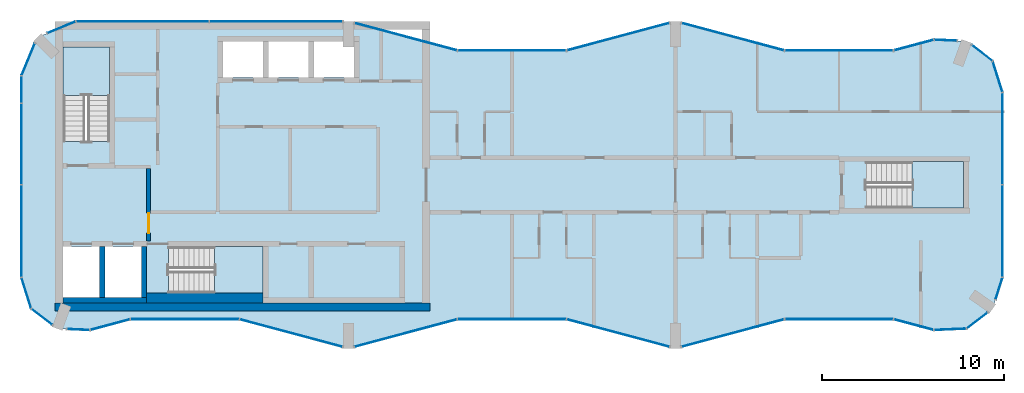
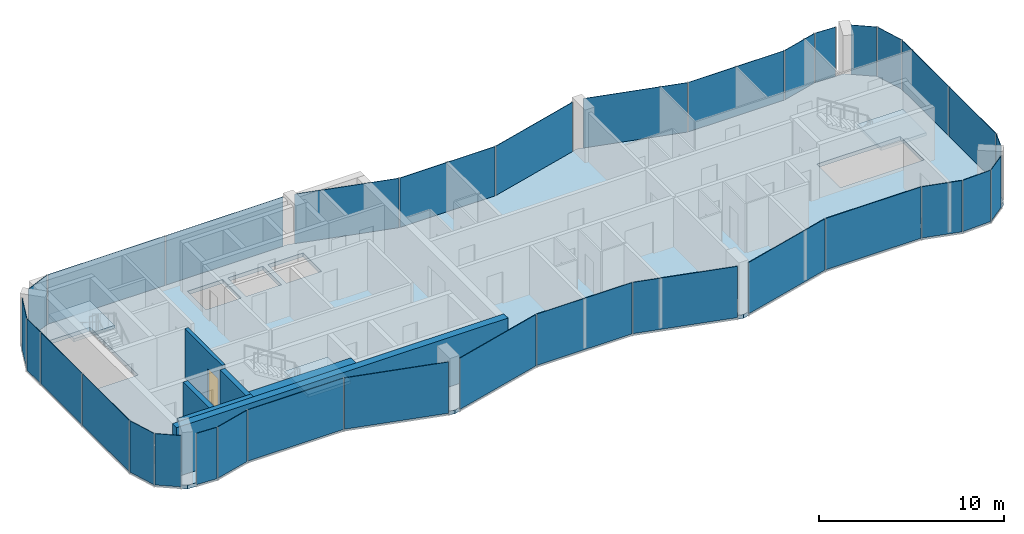
# One storey, part 6 of 10: 33 plates, 6 walls, 4 slabs, 1 door, 1 opening, 32 elements without a shape of their own.
"""IFC4 building model written with IfcOpenShell, lengths in metres."""

from ifc_helpers import new_model, si_unit, direction, frame, frame_2d, origin, origin_2d, place, context, subcontext, project, spatial, polyline, rectangle, outline, extrude, material, layer, layer_set, type_object, element, fill, aggregate, save


model = new_model("IFC4")

# Units and contexts
model_context = context("Model", 3, precision=1e-05, world=origin(), true_north=direction((0.0, 1.0)))
body_context = subcontext(model_context, "Body", "Model", "MODEL_VIEW")
ifc_project = project(units=[si_unit("LENGTHUNIT", "METRE"), si_unit("AREAUNIT", "SQUARE_METRE"), si_unit("VOLUMEUNIT", "CUBIC_METRE"), si_unit("PLANEANGLEUNIT", "RADIAN"), si_unit("MASSUNIT", "GRAM", prefix="KILO")], contexts=[model_context])

# Site, building, storey
site_placement = place(None, origin())
site = spatial("IfcSite", under=ifc_project, at=site_placement, CompositionType="ELEMENT")
building_placement = place(site_placement, origin())
building = spatial("IfcBuilding", under=site, at=building_placement, Name="Plateau Cross Towers", CompositionType="ELEMENT")
storey_placement = place(building_placement, frame((0.0, 0.0, 263.39990234375)))
storey = spatial("IfcBuildingStorey", under=building, at=storey_placement, Name="L69", CompositionType="ELEMENT", Elevation=263.39990234375)

# Curtain wall, plate
ifc_material_1 = material(Name="Dark low-iron glass", Category="glass")
ifc_layer_1 = layer(ifc_material_1, 0.239990234375)
ifc_layer_set_1 = layer_set([ifc_layer_1], Name="Dark low-iron glass")
curtain_wall_type_1 = type_object("IfcCurtainWallType", Name="Curtain wall flush unitised CW-B", PredefinedType="NOTDEFINED", material=ifc_layer_set_1)
curtain_wall_1_placement = place(storey_placement, origin())
curtain_wall_1 = element("IfcCurtainWall", 1, at=curtain_wall_1_placement, inside=storey, type_object=curtain_wall_type_1, Name="ENV/A/L69/A502_10", PredefinedType="NOTDEFINED")
ifc_layer_2 = layer(ifc_material_1, 0.031982421875)
ifc_layer_set_2 = layer_set([ifc_layer_2], Name="Dark low-iron glass")
plate_type_1 = type_object("IfcPlateType", Name="Glass panel 32 flush unitised", PredefinedType="CURTAIN_PANEL", material=ifc_layer_set_2)
plate_1_placement = place(storey_placement, frame((51.125, 1.05078125, -0.1298828125), z_axis=(0.0, 0.0, 1.0), x_axis=(0.999043701491, 0.043722791671, 0.0)))
plate_1 = element("IfcPlate", 2, at=plate_1_placement, type_object=plate_type_1, Name="CW-B panel 1", PredefinedType="CURTAIN_PANEL", context=body_context, shape_type="SweptSolid", body=[
    extrude(rectangle(XDim=1.744140625, YDim=0.031982421875, at=origin_2d()), origin(), (0.0, 0.0, 1.0), 3.3798828125),
])
aggregate(curtain_wall_1, [plate_1])

curtain_wall_2_placement = place(storey_placement, origin())
curtain_wall_2 = element("IfcCurtainWall", 3, at=curtain_wall_2_placement, inside=storey, type_object=curtain_wall_type_1, Name="ENV/A/L69/A520_11", PredefinedType="NOTDEFINED")
plate_2_placement = place(storey_placement, frame((52.60986328125, 1.5380859375, -0.1298828125), z_axis=(0.0, 0.0, 1.0), x_axis=(0.793315514529, 0.608810721331, 0.0)))
plate_2 = element("IfcPlate", 4, at=plate_2_placement, type_object=plate_type_1, Name="CW-B panel 1", PredefinedType="CURTAIN_PANEL", context=body_context, shape_type="SweptSolid", body=[
    extrude(rectangle(XDim=1.41162109375, YDim=0.031982421875, at=origin_2d()), origin(), (0.0, 0.0, 1.0), 3.3798828125),
])
aggregate(curtain_wall_2, [plate_2])

curtain_wall_3_placement = place(storey_placement, origin())
curtain_wall_3 = element("IfcCurtainWall", 5, at=curtain_wall_3_placement, inside=storey, type_object=curtain_wall_type_1, Name="ENV/A/L69/A536_27", PredefinedType="NOTDEFINED")
plate_3_placement = place(storey_placement, frame((53.805419921875, 3.292236328125, -0.1298828125), z_axis=(0.0, 0.0, 1.0), x_axis=(0.300686174994, 0.95372313811, 0.0)))
plate_3 = element("IfcPlate", 6, at=plate_3_placement, type_object=plate_type_1, Name="CW-B panel 1", PredefinedType="CURTAIN_PANEL", context=body_context, shape_type="SweptSolid", body=[
    extrude(rectangle(XDim=1.233642578125, YDim=0.031982421875, at=origin_2d()), origin(), (0.0, 0.0, 1.0), 3.3798828125),
])
aggregate(curtain_wall_3, [plate_3])

# Curtain wall, plates
curtain_wall_4_placement = place(storey_placement, origin())
curtain_wall_4 = element("IfcCurtainWall", 7, at=curtain_wall_4_placement, inside=storey, type_object=curtain_wall_type_1, Name="ENV/A/L69/A540_39", PredefinedType="NOTDEFINED")
plate_4_placement = place(storey_placement, frame((54.0, 6.45458984375, -0.1298828125), z_axis=(0.0, 0.0, 1.0), x_axis=(0.0, 1.0, 0.0)))
plate_4 = element("IfcPlate", 8, at=plate_4_placement, type_object=plate_type_1, Name="CW-B panel 1", PredefinedType="CURTAIN_PANEL", context=body_context, shape_type="SweptSolid", body=[
    extrude(rectangle(XDim=5.03076171875, YDim=0.031982421875, at=origin_2d()), origin(), (0.0, 0.0, 1.0), 3.3798828125),
])
plate_5_placement = place(storey_placement, frame((54.0, 11.54541015625, -0.1298828125), z_axis=(0.0, 0.0, 1.0), x_axis=(0.0, 1.0, 0.0)))
plate_5 = element("IfcPlate", 9, at=plate_5_placement, type_object=plate_type_1, Name="CW-B panel 2", PredefinedType="CURTAIN_PANEL", context=body_context, shape_type="SweptSolid", body=[
    extrude(rectangle(XDim=5.03076171875, YDim=0.031982421875, at=origin_2d()), origin(), (0.0, 0.0, 1.0), 3.3798828125),
])
aggregate(curtain_wall_4, [plate_4, plate_5])

# Curtain wall, plate
curtain_wall_5_placement = place(storey_placement, origin())
curtain_wall_5 = element("IfcCurtainWall", 10, at=curtain_wall_5_placement, inside=storey, type_object=curtain_wall_type_1, Name="ENV/A/L69/A540_141", PredefinedType="NOTDEFINED")
plate_6_placement = place(storey_placement, frame((53.728759765625, 14.951171875, -0.1298828125), z_axis=(0.0, 0.0, 1.0), x_axis=(-0.300686174994, 0.95372313811, 0.0)))
plate_6 = element("IfcPlate", 11, at=plate_6_placement, type_object=plate_type_1, Name="CW-B panel 1", PredefinedType="CURTAIN_PANEL", context=body_context, shape_type="SweptSolid", body=[
    extrude(rectangle(XDim=1.744140625, YDim=0.031982421875, at=origin_2d()), origin(), (0.0, 0.0, 1.0), 3.3798828125),
])
aggregate(curtain_wall_5, [plate_6])

curtain_wall_6_placement = place(storey_placement, origin())
curtain_wall_6 = element("IfcCurtainWall", 12, at=curtain_wall_6_placement, inside=storey, type_object=curtain_wall_type_1, Name="ENV/A/L69/A535_158", PredefinedType="NOTDEFINED")
plate_7_placement = place(storey_placement, frame((52.873779296875, 16.25927734375, -0.1298828125), z_axis=(0.0, 0.0, 1.0), x_axis=(-0.793315514529, 0.608810721331, 0.0)))
plate_7 = element("IfcPlate", 13, at=plate_7_placement, type_object=plate_type_1, Name="CW-B panel 1", PredefinedType="CURTAIN_PANEL", context=body_context, shape_type="SweptSolid", body=[
    extrude(rectangle(XDim=1.41162109375, YDim=0.031982421875, at=origin_2d()), origin(), (0.0, 0.0, 1.0), 3.3798828125),
])
aggregate(curtain_wall_6, [plate_7])

curtain_wall_7_placement = place(storey_placement, origin())
curtain_wall_7 = element("IfcCurtainWall", 14, at=curtain_wall_7_placement, inside=storey, type_object=curtain_wall_type_1, Name="ENV/A/L69/A515_169", PredefinedType="NOTDEFINED")
plate_8_placement = place(storey_placement, frame((50.8701171875, 16.96044921875, -0.1298828125), z_axis=(0.0, 0.0, 1.0), x_axis=(-0.999043701491, 0.043722791671, 0.0)))
plate_8 = element("IfcPlate", 15, at=plate_8_placement, type_object=plate_type_1, Name="CW-B panel 1", PredefinedType="CURTAIN_PANEL", context=body_context, shape_type="SweptSolid", body=[
    extrude(rectangle(XDim=1.233642578125, YDim=0.031982421875, at=origin_2d()), origin(), (0.0, 0.0, 1.0), 3.3798828125),
])
aggregate(curtain_wall_7, [plate_8])

# Curtain wall, plates
curtain_wall_8_placement = place(storey_placement, origin())
curtain_wall_8 = element("IfcCurtainWall", 16, at=curtain_wall_8_placement, inside=storey, type_object=curtain_wall_type_1, Name="ENV/A/L69/A177_180", PredefinedType="NOTDEFINED")
plate_9_placement = place(storey_placement, frame((14.02490234375, 18.0, -0.1298828125), z_axis=(0.0, 0.0, 1.0), x_axis=(-1.0, 0.0, 0.0)))
plate_9 = element("IfcPlate", 17, at=plate_9_placement, type_object=plate_type_1, Name="CW-B panel 1", PredefinedType="CURTAIN_PANEL", context=body_context, shape_type="SweptSolid", body=[
    extrude(rectangle(XDim=7.2900390625, YDim=0.031982421875, at=origin_2d()), origin(), (0.0, 0.0, 1.0), 3.3798828125),
])
plate_10_placement = place(storey_placement, frame((6.675048828125, 18.0, -0.1298828125), z_axis=(0.0, 0.0, 1.0), x_axis=(-1.0, 0.0, 0.0)))
plate_10 = element("IfcPlate", 18, at=plate_10_placement, type_object=plate_type_1, Name="CW-B panel 2", PredefinedType="CURTAIN_PANEL", context=body_context, shape_type="SweptSolid", body=[
    extrude(rectangle(XDim=7.2900390625, YDim=0.031982421875, at=origin_2d()), origin(), (0.0, 0.0, 1.0), 3.3798828125),
])
aggregate(curtain_wall_8, [plate_9, plate_10])

# Curtain wall, plate
curtain_wall_9_placement = place(storey_placement, origin())
curtain_wall_9 = element("IfcCurtainWall", 19, at=curtain_wall_9_placement, inside=storey, type_object=curtain_wall_type_1, Name="ENV/A/L69/A30_180", PredefinedType="NOTDEFINED")
plate_11_placement = place(storey_placement, frame((2.20166015625, 17.66943359375, -0.1298828125), z_axis=(0.0, 0.0, 1.0), x_axis=(-0.923879457699, -0.382683612978, 0.0)))
plate_11 = element("IfcPlate", 20, at=plate_11_placement, type_object=plate_type_1, Name="CW-B panel 1", PredefinedType="CURTAIN_PANEL", context=body_context, shape_type="SweptSolid", body=[
    extrude(rectangle(XDim=1.668212890625, YDim=0.031982421875, at=origin_2d()), origin(), (0.0, 0.0, 1.0), 3.3798828125),
])
aggregate(curtain_wall_9, [plate_11])

curtain_wall_10_placement = place(storey_placement, origin())
curtain_wall_10 = element("IfcCurtainWall", 21, at=curtain_wall_10_placement, inside=storey, type_object=curtain_wall_type_1, Name="ENV/A/L69/A7_168", PredefinedType="NOTDEFINED")
plate_12_placement = place(storey_placement, frame((0.3740234375, 15.90283203125, -0.1298828125), z_axis=(0.0, 0.0, 1.0), x_axis=(-0.382683612978, -0.923879457699, 0.0)))
plate_12 = element("IfcPlate", 22, at=plate_12_placement, type_object=plate_type_1, Name="CW-B panel 1", PredefinedType="CURTAIN_PANEL", context=body_context, shape_type="SweptSolid", body=[
    extrude(rectangle(XDim=1.894775390625, YDim=0.031982421875, at=origin_2d()), origin(), (0.0, 0.0, 1.0), 3.3798828125),
])
aggregate(curtain_wall_10, [plate_12])

# Curtain wall, plates
curtain_wall_11_placement = place(storey_placement, origin())
curtain_wall_11 = element("IfcCurtainWall", 23, at=curtain_wall_11_placement, inside=storey, type_object=curtain_wall_type_1, Name="ENV/A/L69/A0_150", PredefinedType="NOTDEFINED")
plate_13_placement = place(storey_placement, frame((0.0, 14.25, -0.1298828125), z_axis=(0.0, 0.0, 1.0), x_axis=(0.0, -1.0, 0.0)))
plate_13 = element("IfcPlate", 24, at=plate_13_placement, type_object=plate_type_1, Name="CW-B panel 1", PredefinedType="CURTAIN_PANEL", context=body_context, shape_type="SweptSolid", body=[
    extrude(rectangle(XDim=1.43994140625, YDim=0.031982421875, at=origin_2d()), origin(), (0.0, 0.0, 1.0), 3.3798828125),
])
plate_14_placement = place(storey_placement, frame((0.0, 11.25, -0.1298828125), z_axis=(0.0, 0.0, 1.0), x_axis=(0.0, -1.0, 0.0)))
plate_14 = element("IfcPlate", 25, at=plate_14_placement, type_object=plate_type_1, Name="CW-B panel 2", PredefinedType="CURTAIN_PANEL", context=body_context, shape_type="SweptSolid", body=[
    extrude(rectangle(XDim=4.43994140625, YDim=0.031982421875, at=origin_2d()), origin(), (0.0, 0.0, 1.0), 3.3798828125),
])
plate_15_placement = place(storey_placement, frame((0.0, 6.45458984375, -0.1298828125), z_axis=(0.0, 0.0, 1.0), x_axis=(0.0, -1.0, 0.0)))
plate_15 = element("IfcPlate", 26, at=plate_15_placement, type_object=plate_type_1, Name="CW-B panel 3", PredefinedType="CURTAIN_PANEL", context=body_context, shape_type="SweptSolid", body=[
    extrude(rectangle(XDim=5.03076171875, YDim=0.031982421875, at=origin_2d()), origin(), (0.0, 0.0, 1.0), 3.3798828125),
])
aggregate(curtain_wall_11, [plate_13, plate_14, plate_15])

# Curtain wall, plate
curtain_wall_12_placement = place(storey_placement, origin())
curtain_wall_12 = element("IfcCurtainWall", 27, at=curtain_wall_12_placement, inside=storey, type_object=curtain_wall_type_1, Name="ENV/A/L69/A0_39", PredefinedType="NOTDEFINED")
plate_16_placement = place(storey_placement, frame((0.271240234375, 3.048828125, -0.1298828125), z_axis=(0.0, 0.0, 1.0), x_axis=(0.300686174994, -0.95372313811, 0.0)))
plate_16 = element("IfcPlate", 28, at=plate_16_placement, type_object=plate_type_1, Name="CW-B panel 1", PredefinedType="CURTAIN_PANEL", context=body_context, shape_type="SweptSolid", body=[
    extrude(rectangle(XDim=1.744140625, YDim=0.031982421875, at=origin_2d()), origin(), (0.0, 0.0, 1.0), 3.3798828125),
])
aggregate(curtain_wall_12, [plate_16])

curtain_wall_13_placement = place(storey_placement, origin())
curtain_wall_13 = element("IfcCurtainWall", 29, at=curtain_wall_13_placement, inside=storey, type_object=curtain_wall_type_1, Name="ENV/A/L69/A5_22", PredefinedType="NOTDEFINED")
plate_17_placement = place(storey_placement, frame((1.126220703125, 1.74072265625, -0.1298828125), z_axis=(0.0, 0.0, 1.0), x_axis=(0.793315514529, -0.608810721331, 0.0)))
plate_17 = element("IfcPlate", 30, at=plate_17_placement, type_object=plate_type_1, Name="CW-B panel 1", PredefinedType="CURTAIN_PANEL", context=body_context, shape_type="SweptSolid", body=[
    extrude(rectangle(XDim=1.41162109375, YDim=0.031982421875, at=origin_2d()), origin(), (0.0, 0.0, 1.0), 3.3798828125),
])
aggregate(curtain_wall_13, [plate_17])

curtain_wall_14_placement = place(storey_placement, origin())
curtain_wall_14 = element("IfcCurtainWall", 31, at=curtain_wall_14_placement, inside=storey, type_object=curtain_wall_type_1, Name="ENV/A/L69/A25_11", PredefinedType="NOTDEFINED")
plate_18_placement = place(storey_placement, frame((3.1298828125, 1.03955078125, -0.1298828125), z_axis=(0.0, 0.0, 1.0), x_axis=(0.999043701491, -0.043722791671, 0.0)))
plate_18 = element("IfcPlate", 32, at=plate_18_placement, type_object=plate_type_1, Name="CW-B panel 1", PredefinedType="CURTAIN_PANEL", context=body_context, shape_type="SweptSolid", body=[
    extrude(rectangle(XDim=1.233642578125, YDim=0.031982421875, at=origin_2d()), origin(), (0.0, 0.0, 1.0), 3.3798828125),
])
aggregate(curtain_wall_14, [plate_18])

ifc_layer_3 = layer(ifc_material_1, 0.260009765625)
ifc_layer_set_3 = layer_set([ifc_layer_3], Name="Dark low-iron glass")
curtain_wall_type_2 = type_object("IfcCurtainWallType", Name="Curtain wall fluted unitised CW-A", PredefinedType="NOTDEFINED", material=ifc_layer_set_3)
curtain_wall_15_placement = place(storey_placement, origin())
curtain_wall_15 = element("IfcCurtainWall", 33, at=curtain_wall_15_placement, inside=storey, type_object=curtain_wall_type_2, Name="ENV/A/L69/A38_10", PredefinedType="NOTDEFINED")
ifc_layer_4 = layer(ifc_material_1, 0.035888671875)
ifc_layer_set_4 = layer_set([ifc_layer_4], Name="Dark low-iron glass")
plate_type_2 = type_object("IfcPlateType", Name="Glass panel 36 fluted unitised", PredefinedType="CURTAIN_PANEL", material=ifc_layer_set_4)
plate_19_placement = place(storey_placement, frame((4.887939453125, 1.30908203125, -0.1298828125), z_axis=(0.0, 0.0, 1.0), x_axis=(0.965957962328, 0.258699081978, 0.0)))
plate_19 = element("IfcPlate", 34, at=plate_19_placement, type_object=plate_type_2, Name="CW-A panel 1", PredefinedType="CURTAIN_PANEL", context=body_context, shape_type="SweptSolid", body=[
    extrude(rectangle(XDim=2.2421875, YDim=0.035888671875, at=origin_2d()), origin(), (0.0, 0.0, 1.0), 3.3798828125),
])
aggregate(curtain_wall_15, [plate_19])

curtain_wall_16_placement = place(storey_placement, origin())
curtain_wall_16 = element("IfcCurtainWall", 35, at=curtain_wall_16_placement, inside=storey, type_object=curtain_wall_type_2, Name="ENV/A/L69/A60_16", PredefinedType="NOTDEFINED")
plate_20_placement = place(storey_placement, frame((9.0, 1.60693359375, -0.1298828125), z_axis=(0.0, 0.0, 1.0), x_axis=(1.0, 0.0, 0.0)))
plate_20 = element("IfcPlate", 36, at=plate_20_placement, type_object=plate_type_2, Name="CW-A panel 1", PredefinedType="CURTAIN_PANEL", context=body_context, shape_type="SweptSolid", body=[
    extrude(rectangle(XDim=5.93994140625, YDim=0.035888671875, at=origin_2d()), origin(), (0.0, 0.0, 1.0), 3.3798828125),
])
aggregate(curtain_wall_16, [plate_20])

curtain_wall_17_placement = place(storey_placement, origin())
curtain_wall_17 = element("IfcCurtainWall", 37, at=curtain_wall_17_placement, inside=storey, type_object=curtain_wall_type_2, Name="ENV/A/L69/A120_16", PredefinedType="NOTDEFINED")
plate_21_placement = place(storey_placement, frame((14.841064453125, 0.845947265625, -0.1298828125), z_axis=(0.0, 0.0, 1.0), x_axis=(0.965957983404, -0.258699003279, 0.0)))
plate_21 = element("IfcPlate", 38, at=plate_21_placement, type_object=plate_type_2, Name="CW-A panel 1", PredefinedType="CURTAIN_PANEL", context=body_context, shape_type="SweptSolid", body=[
    extrude(rectangle(XDim=5.822265625, YDim=0.035888671875, at=origin_2d()), origin(), (0.0, 0.0, 1.0), 3.3798828125),
])
aggregate(curtain_wall_17, [plate_21])

curtain_wall_18_placement = place(storey_placement, origin())
curtain_wall_18 = element("IfcCurtainWall", 39, at=curtain_wall_18_placement, inside=storey, type_object=curtain_wall_type_2, Name="ENV/A/L69/A183_1", PredefinedType="NOTDEFINED")
plate_22_placement = place(storey_placement, frame((21.158935546875, 0.845947265625, -0.1298828125), z_axis=(0.0, 0.0, 1.0), x_axis=(0.965957983404, 0.258699003279, 0.0)))
plate_22 = element("IfcPlate", 40, at=plate_22_placement, type_object=plate_type_2, Name="CW-A panel 1", PredefinedType="CURTAIN_PANEL", context=body_context, shape_type="SweptSolid", body=[
    extrude(rectangle(XDim=5.822265625, YDim=0.035888671875, at=origin_2d()), origin(), (0.0, 0.0, 1.0), 3.3798828125),
])
aggregate(curtain_wall_18, [plate_22])

curtain_wall_19_placement = place(storey_placement, origin())
curtain_wall_19 = element("IfcCurtainWall", 41, at=curtain_wall_19_placement, inside=storey, type_object=curtain_wall_type_2, Name="ENV/A/L69/A240_16", PredefinedType="NOTDEFINED")
plate_23_placement = place(storey_placement, frame((27.0, 1.60693359375, -0.1298828125), z_axis=(0.0, 0.0, 1.0), x_axis=(1.0, 0.0, 0.0)))
plate_23 = element("IfcPlate", 42, at=plate_23_placement, type_object=plate_type_2, Name="CW-A panel 1", PredefinedType="CURTAIN_PANEL", context=body_context, shape_type="SweptSolid", body=[
    extrude(rectangle(XDim=5.93994140625, YDim=0.035888671875, at=origin_2d()), origin(), (0.0, 0.0, 1.0), 3.3798828125),
])
aggregate(curtain_wall_19, [plate_23])

curtain_wall_20_placement = place(storey_placement, origin())
curtain_wall_20 = element("IfcCurtainWall", 43, at=curtain_wall_20_placement, inside=storey, type_object=curtain_wall_type_2, Name="ENV/A/L69/A300_16", PredefinedType="NOTDEFINED")
plate_24_placement = place(storey_placement, frame((32.841064453125, 0.845947265625, -0.1298828125), z_axis=(0.0, 0.0, 1.0), x_axis=(0.965957983404, -0.258699003279, 0.0)))
plate_24 = element("IfcPlate", 44, at=plate_24_placement, type_object=plate_type_2, Name="CW-A panel 1", PredefinedType="CURTAIN_PANEL", context=body_context, shape_type="SweptSolid", body=[
    extrude(rectangle(XDim=5.822265625, YDim=0.035888671875, at=origin_2d()), origin(), (0.0, 0.0, 1.0), 3.3798828125),
])
aggregate(curtain_wall_20, [plate_24])

curtain_wall_21_placement = place(storey_placement, origin())
curtain_wall_21 = element("IfcCurtainWall", 45, at=curtain_wall_21_placement, inside=storey, type_object=curtain_wall_type_2, Name="ENV/A/L69/A363_1", PredefinedType="NOTDEFINED")
plate_25_placement = place(storey_placement, frame((39.158935546875, 0.845947265625, -0.1298828125), z_axis=(0.0, 0.0, 1.0), x_axis=(0.965957983404, 0.258699003279, 0.0)))
plate_25 = element("IfcPlate", 46, at=plate_25_placement, type_object=plate_type_2, Name="CW-A panel 1", PredefinedType="CURTAIN_PANEL", context=body_context, shape_type="SweptSolid", body=[
    extrude(rectangle(XDim=5.822265625, YDim=0.035888671875, at=origin_2d()), origin(), (0.0, 0.0, 1.0), 3.3798828125),
])
aggregate(curtain_wall_21, [plate_25])

curtain_wall_22_placement = place(storey_placement, origin())
curtain_wall_22 = element("IfcCurtainWall", 47, at=curtain_wall_22_placement, inside=storey, type_object=curtain_wall_type_2, Name="ENV/A/L69/A420_16", PredefinedType="NOTDEFINED")
plate_26_placement = place(storey_placement, frame((45.0, 1.60693359375, -0.1298828125), z_axis=(0.0, 0.0, 1.0), x_axis=(1.0, 0.0, 0.0)))
plate_26 = element("IfcPlate", 48, at=plate_26_placement, type_object=plate_type_2, Name="CW-A panel 1", PredefinedType="CURTAIN_PANEL", context=body_context, shape_type="SweptSolid", body=[
    extrude(rectangle(XDim=5.93994140625, YDim=0.035888671875, at=origin_2d()), origin(), (0.0, 0.0, 1.0), 3.3798828125),
])
aggregate(curtain_wall_22, [plate_26])

curtain_wall_23_placement = place(storey_placement, origin())
curtain_wall_23 = element("IfcCurtainWall", 49, at=curtain_wall_23_placement, inside=storey, type_object=curtain_wall_type_2, Name="ENV/A/L69/A480_16", PredefinedType="NOTDEFINED")
plate_27_placement = place(storey_placement, frame((49.112060546875, 1.30908203125, -0.1298828125), z_axis=(0.0, 0.0, 1.0), x_axis=(0.965957962328, -0.258699081978, 0.0)))
plate_27 = element("IfcPlate", 50, at=plate_27_placement, type_object=plate_type_2, Name="CW-A panel 1", PredefinedType="CURTAIN_PANEL", context=body_context, shape_type="SweptSolid", body=[
    extrude(rectangle(XDim=2.2421875, YDim=0.035888671875, at=origin_2d()), origin(), (0.0, 0.0, 1.0), 3.3798828125),
])
aggregate(curtain_wall_23, [plate_27])

curtain_wall_24_placement = place(storey_placement, origin())
curtain_wall_24 = element("IfcCurtainWall", 51, at=curtain_wall_24_placement, inside=storey, type_object=curtain_wall_type_2, Name="ENV/A/L69/A502_170", PredefinedType="NOTDEFINED")
plate_28_placement = place(storey_placement, frame((49.112060546875, 16.69091796875, -0.1298828125), z_axis=(0.0, 0.0, 1.0), x_axis=(-0.965957962328, -0.258699081978, 0.0)))
plate_28 = element("IfcPlate", 52, at=plate_28_placement, type_object=plate_type_2, Name="CW-A panel 1", PredefinedType="CURTAIN_PANEL", context=body_context, shape_type="SweptSolid", body=[
    extrude(rectangle(XDim=2.2421875, YDim=0.035888671875, at=origin_2d()), origin(), (0.0, 0.0, 1.0), 3.3798828125),
])
aggregate(curtain_wall_24, [plate_28])

curtain_wall_25_placement = place(storey_placement, origin())
curtain_wall_25 = element("IfcCurtainWall", 53, at=curtain_wall_25_placement, inside=storey, type_object=curtain_wall_type_2, Name="ENV/A/L69/A480_164", PredefinedType="NOTDEFINED")
plate_29_placement = place(storey_placement, frame((45.0, 16.39306640625, -0.1298828125), z_axis=(0.0, 0.0, 1.0), x_axis=(-1.0, 0.0, 0.0)))
plate_29 = element("IfcPlate", 54, at=plate_29_placement, type_object=plate_type_2, Name="CW-A panel 1", PredefinedType="CURTAIN_PANEL", context=body_context, shape_type="SweptSolid", body=[
    extrude(rectangle(XDim=5.93994140625, YDim=0.035888671875, at=origin_2d()), origin(), (0.0, 0.0, 1.0), 3.3798828125),
])
aggregate(curtain_wall_25, [plate_29])

curtain_wall_26_placement = place(storey_placement, origin())
curtain_wall_26 = element("IfcCurtainWall", 55, at=curtain_wall_26_placement, inside=storey, type_object=curtain_wall_type_2, Name="ENV/A/L69/A420_164", PredefinedType="NOTDEFINED")
plate_30_placement = place(storey_placement, frame((39.158935546875, 17.154052734375, -0.1298828125), z_axis=(0.0, 0.0, 1.0), x_axis=(-0.965957983404, 0.258699003279, 0.0)))
plate_30 = element("IfcPlate", 56, at=plate_30_placement, type_object=plate_type_2, Name="CW-A panel 1", PredefinedType="CURTAIN_PANEL", context=body_context, shape_type="SweptSolid", body=[
    extrude(rectangle(XDim=5.822265625, YDim=0.035888671875, at=origin_2d()), origin(), (0.0, 0.0, 1.0), 3.3798828125),
])
aggregate(curtain_wall_26, [plate_30])

curtain_wall_27_placement = place(storey_placement, origin())
curtain_wall_27 = element("IfcCurtainWall", 57, at=curtain_wall_27_placement, inside=storey, type_object=curtain_wall_type_2, Name="ENV/A/L69/A357_179", PredefinedType="NOTDEFINED")
plate_31_placement = place(storey_placement, frame((32.841064453125, 17.154052734375, -0.1298828125), z_axis=(0.0, 0.0, 1.0), x_axis=(-0.965957983404, -0.258699003279, 0.0)))
plate_31 = element("IfcPlate", 58, at=plate_31_placement, type_object=plate_type_2, Name="CW-A panel 1", PredefinedType="CURTAIN_PANEL", context=body_context, shape_type="SweptSolid", body=[
    extrude(rectangle(XDim=5.822265625, YDim=0.035888671875, at=origin_2d()), origin(), (0.0, 0.0, 1.0), 3.3798828125),
])
aggregate(curtain_wall_27, [plate_31])

curtain_wall_28_placement = place(storey_placement, origin())
curtain_wall_28 = element("IfcCurtainWall", 59, at=curtain_wall_28_placement, inside=storey, type_object=curtain_wall_type_2, Name="ENV/A/L69/A300_164", PredefinedType="NOTDEFINED")
plate_32_placement = place(storey_placement, frame((27.0, 16.39306640625, -0.1298828125), z_axis=(0.0, 0.0, 1.0), x_axis=(-1.0, 0.0, 0.0)))
plate_32 = element("IfcPlate", 60, at=plate_32_placement, type_object=plate_type_2, Name="CW-A panel 1", PredefinedType="CURTAIN_PANEL", context=body_context, shape_type="SweptSolid", body=[
    extrude(rectangle(XDim=5.93994140625, YDim=0.035888671875, at=origin_2d()), origin(), (0.0, 0.0, 1.0), 3.3798828125),
])
aggregate(curtain_wall_28, [plate_32])

curtain_wall_29_placement = place(storey_placement, origin())
curtain_wall_29 = element("IfcCurtainWall", 61, at=curtain_wall_29_placement, inside=storey, type_object=curtain_wall_type_2, Name="ENV/A/L69/A240_164", PredefinedType="NOTDEFINED")
plate_33_placement = place(storey_placement, frame((21.158935546875, 17.154052734375, -0.1298828125), z_axis=(0.0, 0.0, 1.0), x_axis=(-0.965957983404, 0.258699003279, 0.0)))
plate_33 = element("IfcPlate", 62, at=plate_33_placement, type_object=plate_type_2, Name="CW-A panel 1", PredefinedType="CURTAIN_PANEL", context=body_context, shape_type="SweptSolid", body=[
    extrude(rectangle(XDim=5.822265625, YDim=0.035888671875, at=origin_2d()), origin(), (0.0, 0.0, 1.0), 3.3798828125),
])
aggregate(curtain_wall_29, [plate_33])

# Slab
ifc_material_2 = material(Name="Concrete C40/50", Category="concrete")
ifc_layer_5 = layer(ifc_material_2, 0.25)
ifc_layer_set_5 = layer_set([ifc_layer_5], Name="Concrete C40/50")
slab_type_1 = type_object("IfcSlabType", Name="Post-tensioned flat plate slab 250", PredefinedType="FLOOR", material=ifc_layer_set_5)
slab_1_placement = place(storey_placement, frame((0.0, 0.0, -0.25)))
element("IfcSlab", 63, at=slab_1_placement, inside=storey, type_object=slab_type_1, Name="SL-A-L69", PredefinedType="FLOOR", context=body_context, shape_type="SweptSolid", body=[
    extrude(outline(polyline([(1.9736328125, 1.090087890625), (0.54248046875, 2.1884765625), (0.0, 3.9091796875), (0.0, 15.0), (0.878662109375, 17.121337890625), (3.0, 18.0), (18.0, 18.0), (24.0, 16.39306640625), (30.0, 16.39306640625), (36.0, 18.0), (42.0, 16.39306640625), (48.0, 16.39306640625), (50.223876953125, 16.98876953125), (52.0263671875, 16.909912109375), (53.45751953125, 15.8115234375), (54.0, 14.0908203125), (54.0, 3.9091796875), (53.45751953125, 2.1884765625), (52.0263671875, 1.090087890625), (50.223876953125, 1.01123046875), (48.0, 1.60693359375), (42.0, 1.60693359375), (36.0, 0.0), (30.0, 1.60693359375), (24.0, 1.60693359375), (18.0, 0.0), (12.0, 1.60693359375), (6.0, 1.60693359375), (3.776123046875, 1.01123046875), (1.9736328125, 1.090087890625)]), holes=[polyline([(4.300048828125, 5.60009765625), (2.300048828125, 5.60009765625), (2.300048828125, 2.800048828125), (4.300048828125, 2.800048828125), (4.300048828125, 5.60009765625)]), polyline([(6.60009765625, 5.60009765625), (4.60009765625, 5.60009765625), (4.60009765625, 2.800048828125), (6.60009765625, 2.800048828125), (6.60009765625, 5.60009765625)]), polyline([(13.300048828125, 5.60009765625), (8.10009765625, 5.60009765625), (8.10009765625, 3.050048828125), (13.300048828125, 3.050048828125), (13.300048828125, 5.60009765625)]), polyline([(51.699951171875, 10.27490234375), (46.5, 10.27490234375), (46.5, 7.72509765625), (51.699951171875, 7.72509765625), (51.699951171875, 10.27490234375)]), polyline([(2.300048828125, 16.60009765625), (2.300048828125, 11.39990234375), (4.85009765625, 11.39990234375), (4.85009765625, 16.60009765625), (2.300048828125, 16.60009765625)]), polyline([(13.300048828125, 16.89990234375), (11.10009765625, 16.89990234375), (11.10009765625, 14.89990234375), (13.300048828125, 14.89990234375), (13.300048828125, 16.89990234375)]), polyline([(15.800048828125, 16.89990234375), (13.60009765625, 16.89990234375), (13.60009765625, 14.89990234375), (15.800048828125, 14.89990234375), (15.800048828125, 16.89990234375)]), polyline([(18.300048828125, 16.89990234375), (16.10009765625, 16.89990234375), (16.10009765625, 14.89990234375), (18.300048828125, 14.89990234375), (18.300048828125, 16.89990234375)])]), origin(), (0.0, 0.0, 1.0), 0.25),
])

# Stair, slab
stair_type = type_object("IfcStairType", Name="ST-TWR", PredefinedType="HALF_TURN_STAIR", material=ifc_material_2)
stair_1_placement = place(storey_placement, origin())
stair_1 = element("IfcStair", 64, at=stair_1_placement, inside=storey, type_object=stair_type, Name="L69 Protected Exit Stair ST-1", PredefinedType="HALF_TURN_STAIR")
ifc_layer_6 = layer(ifc_material_2, 0.199951171875)
ifc_layer_set_6 = layer_set([ifc_layer_6], Name="Concrete C40/50")
slab_type_2 = type_object("IfcSlabType", Name="SL-LANDING", PredefinedType="LANDING", material=ifc_layer_set_6)
slab_2_placement = place(storey_placement, frame((0.0, 0.0, 1.550048828125)))
slab_2 = element("IfcSlab", 65, at=slab_2_placement, type_object=slab_type_2, Name="ST-1 landing 1", PredefinedType="LANDING", context=body_context, shape_type="SweptSolid", body=[
    extrude(outline(polyline([(4.85009765625, 13.919921875), (4.85009765625, 16.60009765625), (2.300048828125, 16.60009765625), (2.300048828125, 13.919921875), (4.85009765625, 13.919921875)])), origin(), (0.0, 0.0, 1.0), 0.199951171875),
])
aggregate(stair_1, [slab_2])

stair_2_placement = place(storey_placement, origin())
stair_2 = element("IfcStair", 66, at=stair_2_placement, inside=storey, type_object=stair_type, Name="L69 Protected Exit Stair ST-2", PredefinedType="HALF_TURN_STAIR")
slab_3_placement = place(storey_placement, frame((0.0, 0.0, 1.550048828125)))
slab_3 = element("IfcSlab", 67, at=slab_3_placement, type_object=slab_type_2, Name="ST-2 landing 1", PredefinedType="LANDING", context=body_context, shape_type="SweptSolid", body=[
    extrude(outline(polyline([(10.6201171875, 3.050048828125), (13.300048828125, 3.050048828125), (13.300048828125, 5.60009765625), (10.6201171875, 5.60009765625), (10.6201171875, 3.050048828125)])), origin(), (0.0, 0.0, 1.0), 0.199951171875),
])
aggregate(stair_2, [slab_3])

stair_3_placement = place(storey_placement, origin())
stair_3 = element("IfcStair", 68, at=stair_3_placement, inside=storey, type_object=stair_type, Name="L69 Protected Exit Stair E", PredefinedType="HALF_TURN_STAIR")
slab_4_placement = place(storey_placement, frame((0.0, 0.0, 1.550048828125)))
slab_4 = element("IfcSlab", 69, at=slab_4_placement, type_object=slab_type_2, Name="ES-E landing 1", PredefinedType="LANDING", context=body_context, shape_type="SweptSolid", body=[
    extrude(outline(polyline([(49.02001953125, 7.72509765625), (51.85009765625, 7.72509765625), (51.85009765625, 10.27490234375), (49.02001953125, 10.27490234375), (49.02001953125, 7.72509765625)])), origin(), (0.0, 0.0, 1.0), 0.199951171875),
])
aggregate(stair_3, [slab_4])

# Wall, opening, door
ifc_material_3 = material(Name="Concrete block, plastered both sides", Category="concrete")
ifc_layer_7 = layer(ifc_material_3, 0.199951171875)
ifc_layer_set_7 = layer_set([ifc_layer_7], Name="Concrete block, plastered both sides")
wall_type_1 = type_object("IfcWallType", Name="Core partition 200", PredefinedType="PARTITIONING", material=ifc_layer_set_7)
wall_1_placement = place(storey_placement, frame((7.0, 5.89990234375, 0.0), z_axis=(0.0, 0.0, 1.0), x_axis=(0.0, 1.0, 0.0)))
wall_1 = element("IfcWall", 70, at=wall_1_placement, inside=storey, type_object=wall_type_1, Name="Core partition", PredefinedType="PARTITIONING", context=body_context, shape_type="SweptSolid", body=[
    extrude(rectangle(XDim=4.0, YDim=0.199951171875, at=frame_2d((2.0, 0.0))), origin(), (0.0, 0.0, 1.0), 3.25),
])
opening_placement = place(wall_1_placement, frame((0.449951171875, 0.0, 0.0)))
opening = element("IfcOpeningElement", 71, at=opening_placement, cuts=wall_1, Name="Opening FFD", PredefinedType="OPENING", context=body_context, shape_type="SweptSolid", body=[
    extrude(rectangle(XDim=1.10009765625, YDim=2.10009765625, at=frame_2d((0.550048828125, 1.050048828125))), frame((0.0, 0.10986328125, 0.0), z_axis=(0.0, -1.0, 0.0), x_axis=(1.0, 0.0, 0.0)), (0.0, 0.0, 1.0), 0.219970703125),
])
ifc_material_4 = material(Name="Steel, fire-resisting leaf", Category="steel")
door_type = type_object("IfcDoorType", Name="Firefighting lobby door 1100", OperationType="NOTDEFINED", PredefinedType="DOOR", material=ifc_material_4)
door_placement = place(opening_placement, origin())
door = element("IfcDoor", 72, at=door_placement, inside=storey, type_object=door_type, Name="Firefighting lobby door FFD", OperationType="SINGLE_SWING_LEFT", OverallHeight=2.10009765625, OverallWidth=1.10009765625, PredefinedType="DOOR", context=body_context, shape_type="SweptSolid", body=[
    extrude(rectangle(XDim=1.10009765625, YDim=2.10009765625, at=frame_2d((0.550048828125, 1.050048828125))), frame((0.0, 0.02490234375, 0.0), z_axis=(0.0, -1.0, 0.0), x_axis=(1.0, 0.0, 0.0)), (0.0, 0.0, 1.0), 0.050048828125),
])
fill(opening, door)

# Walls
ifc_material_5 = material(Name="Concrete C60/75", Category="concrete")
ifc_layer_8 = layer(ifc_material_5, 0.300048828125)
ifc_layer_set_8 = layer_set([ifc_layer_8], Name="Concrete C60/75")
wall_type_2 = type_object("IfcWallType", Name="Core shaft wall 300", PredefinedType="SHEAR", material=ifc_layer_set_8)
wall_2_placement = place(storey_placement, frame((2.300048828125, 2.64990234375, 0.0), z_axis=(0.0, 0.0, 1.0), x_axis=(1.0, 0.0, 0.0)))
element("IfcWall", 73, at=wall_2_placement, inside=storey, type_object=wall_type_2, Name="A-sb-back1@L69", PredefinedType="SHEAR", context=body_context, shape_type="SweptSolid", body=[
    extrude(rectangle(XDim=4.599853515625, YDim=0.300048828125, at=frame_2d((2.2998046875, 0.0))), origin(), (0.0, 0.0, 1.0), 3.25),
])
for number, where, z_axis, x_axis, name in (
    (74, (4.449951171875, 2.800048828125, 0.0), (0.0, 0.0, 1.0), (0.0, 1.0, 0.0), "A-sb-v1@L69"),
    (75, (6.75, 2.800048828125, 0.0), (0.0, 0.0, 1.0), (0.0, 1.0, 0.0), "A-sb-v2@L69"),
):
    element("IfcWall", number, at=place(storey_placement, frame(where, z_axis=z_axis, x_axis=x_axis)), inside=storey, type_object=wall_type_2, Name=name, PredefinedType="SHEAR", context=body_context, shape_type="SweptSolid", body=[
        extrude(rectangle(XDim=2.800048828125, YDim=0.300048828125, at=frame_2d((1.39990234375, 0.0))), origin(), (0.0, 0.0, 1.0), 3.25),
    ])
ifc_layer_9 = layer(ifc_material_5, 0.550048828125)
ifc_layer_set_9 = layer_set([ifc_layer_9], Name="Concrete C60/75")
wall_type_3 = type_object("IfcWallType", Name="Core shaft wall 550", PredefinedType="SHEAR", material=ifc_layer_set_9)
wall_3_placement = place(storey_placement, frame((6.89990234375, 2.77490234375, 0.0), z_axis=(0.0, 0.0, 1.0), x_axis=(1.0, 0.0, 0.0)))
element("IfcWall", 76, at=wall_3_placement, inside=storey, type_object=wall_type_3, Name="A-sb-back2@L69", PredefinedType="SHEAR", context=body_context, shape_type="SweptSolid", body=[
    extrude(rectangle(XDim=6.400146484375, YDim=0.550048828125, at=frame_2d((3.2001953125, 0.0))), origin(), (0.0, 0.0, 1.0), 3.25),
])
ifc_layer_10 = layer(ifc_material_5, 0.449951171875)
ifc_layer_set_10 = layer_set([ifc_layer_10], Name="Concrete C60/75")
wall_type_4 = type_object("IfcWallType", Name="Core shell wall 450", PredefinedType="SHEAR", material=ifc_layer_set_10)
wall_4_placement = place(storey_placement, frame((1.85009765625, 2.27490234375, 0.0), z_axis=(0.0, 0.0, 1.0), x_axis=(1.0, 0.0, 0.0)))
element("IfcWall", 77, at=wall_4_placement, inside=storey, type_object=wall_type_4, Name="A-core-S@L69", PredefinedType="SHEAR", context=body_context, shape_type="SweptSolid", body=[
    extrude(rectangle(XDim=20.64990234375, YDim=0.449951171875, at=frame_2d((10.324951171875, 0.0))), origin(), (0.0, 0.0, 1.0), 3.25),
])

save(model, "model.ifc")
